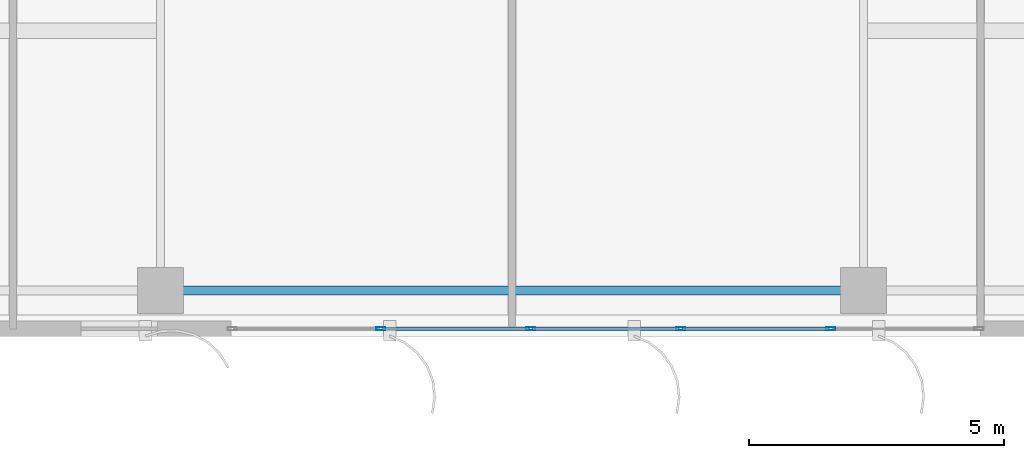
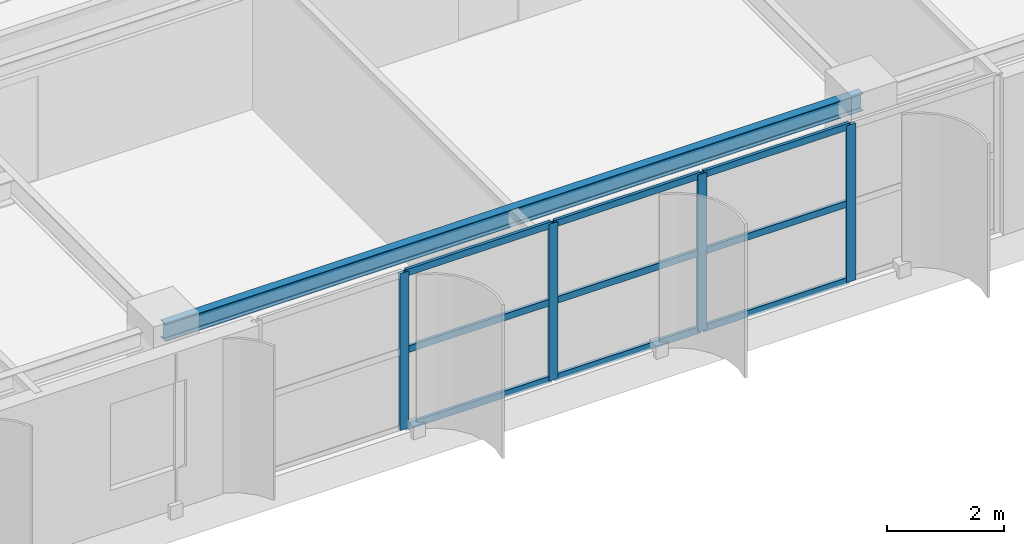
# One storey, part 4 of 25: 13 members, 1 beam, 1 element without a shape of its own.
"""IFC4 building model written with IfcOpenShell, lengths in metres."""

from ifc_helpers import new_model, si_unit, direction, frame, origin, origin_2d, place, context, subcontext, project, spatial, hollow_rectangle, i_section, extrude, source, transform, mapped, material, layer, layer_set, material_profile, profile_set, type_object, element, aggregate, save


model = new_model("IFC4")

# Units and contexts
model_context = context("Model", 3, precision=1e-05, world=origin(), true_north=direction((0.0, 1.0)))
body_context = subcontext(model_context, "Body", "Model", "MODEL_VIEW")
ifc_project = project(units=[si_unit("LENGTHUNIT", "METRE"), si_unit("AREAUNIT", "SQUARE_METRE"), si_unit("VOLUMEUNIT", "CUBIC_METRE"), si_unit("PLANEANGLEUNIT", "RADIAN"), si_unit("MASSUNIT", "GRAM", prefix="KILO")], contexts=[model_context])

# Site, building, storey
site_placement = place(None, origin())
site = spatial("IfcSite", under=ifc_project, at=site_placement, CompositionType="ELEMENT")
building_placement = place(site_placement, origin())
building = spatial("IfcBuilding", under=site, at=building_placement, Name="Khoralis Quay Care Tower", CompositionType="ELEMENT")
storey_placement = place(building_placement, frame((0.0, 0.0, 216.89990234375)))
storey = spatial("IfcBuildingStorey", under=building, at=storey_placement, Name="L57", CompositionType="ELEMENT", Elevation=216.89990234375)

# Beam
ifc_material_1 = material(Name="Steel S355", Category="steel")
ifc_material_profile_1 = material_profile(ifc_material_1, i_section(OverallWidth=0.169921875, OverallDepth=0.360107421875, WebThickness=0.008056640625, FlangeThickness=0.0126953125, FilletRadius=0.01806640625, at=origin_2d()), Name="Steel S355")
ifc_profile_set_1 = profile_set([ifc_material_profile_1], Name="Steel S355")
beam_type = type_object("IfcBeamType", Name="BM-IPE360", PredefinedType="SPANDREL", material=ifc_profile_set_1)
shared_shape_1 = source(origin(), body_context, "Body", "SweptSolid", [
    extrude(i_section(OverallWidth=0.169921875, OverallDepth=0.360107421875, WebThickness=0.008056640625, FlangeThickness=0.0126953125, FilletRadius=0.01806640625, at=origin_2d()), origin(), (0.0, 0.0, 1.0), 13.7998046875),
])
beam_placement = place(storey_placement, frame((17.10009765625, 0.89990234375, 3.10009765625), z_axis=(1.0, 0.0, 0.0), x_axis=(0.0, 1.0, 0.0)))
element("IfcBeam", 1, at=beam_placement, inside=storey, type_object=beam_type, Name="BM-TSP-L57-02", PredefinedType="SPANDREL", context=body_context, shape_type="MappedRepresentation", body=[
    mapped(shared_shape_1, transform((0.0, 0.0, 0.0), scale=1.0)),
])

# Curtain wall, members
ifc_material_2 = material(Name="Pale anodised aluminium", Category="aluminium")
ifc_layer = layer(ifc_material_2, 0.159912109375)
ifc_layer_set = layer_set([ifc_layer], Name="Pale anodised aluminium")
curtain_wall_type = type_object("IfcCurtainWallType", Name="CW-SYS-Z3", PredefinedType="NOTDEFINED", material=ifc_layer_set)
curtain_wall_placement = place(storey_placement, origin())
curtain_wall = element("IfcCurtainWall", 2, at=curtain_wall_placement, inside=storey, type_object=curtain_wall_type, Name="L57 Unitised Curtain Wall CW-L57-P1-E0", PredefinedType="NOTDEFINED")
ifc_material_profile_2 = material_profile(ifc_material_2, hollow_rectangle(XDim=0.06494140625, YDim=0.179931640625, WallThickness=0.00390625, at=origin_2d()), Name="Pale anodised aluminium")
ifc_profile_set_2 = profile_set([ifc_material_profile_2], Name="Pale anodised aluminium")
member_type_1 = type_object("IfcMemberType", Name="CW-MUL-180", PredefinedType="MULLION", material=ifc_profile_set_2)
shared_shape_2 = source(origin(), body_context, "Body", "SweptSolid", [
    extrude(hollow_rectangle(XDim=0.06494140625, YDim=0.179931640625, WallThickness=0.00390625, at=origin_2d()), origin(), (0.0, 0.0, 1.0), 3.280029296875),
])
member_1_placement = place(storey_placement, frame((21.424072265625, 0.14990234375, 0.0), z_axis=(0.0, 0.0, 1.0), x_axis=(0.0, 1.0, 0.0)))
member_1 = element("IfcMember", 3, at=member_1_placement, type_object=member_type_1, Name="CW3 mullion 2", PredefinedType="MULLION", context=body_context, shape_type="MappedRepresentation", body=[
    mapped(shared_shape_2, transform((0.0, 0.0, 0.0), scale=1.0)),
])
member_2_placement = place(storey_placement, frame((24.367919921875, 0.14990234375, 0.0), z_axis=(0.0, 0.0, 1.0), x_axis=(0.0, 1.0, 0.0)))
member_2 = element("IfcMember", 4, at=member_2_placement, type_object=member_type_1, Name="CW3 mullion 3", PredefinedType="MULLION", context=body_context, shape_type="MappedRepresentation", body=[
    mapped(shared_shape_2, transform((0.0, 0.0, 0.0), scale=1.0)),
])
member_3_placement = place(storey_placement, frame((27.31201171875, 0.14990234375, 0.0), z_axis=(0.0, 0.0, 1.0), x_axis=(0.0, 1.0, 0.0)))
member_3 = element("IfcMember", 5, at=member_3_placement, type_object=member_type_1, Name="CW3 mullion 4", PredefinedType="MULLION", context=body_context, shape_type="MappedRepresentation", body=[
    mapped(shared_shape_2, transform((0.0, 0.0, 0.0), scale=1.0)),
])
member_4_placement = place(storey_placement, frame((30.256103515625, 0.14990234375, 0.0), z_axis=(0.0, 0.0, 1.0), x_axis=(0.0, 1.0, 0.0)))
member_4 = element("IfcMember", 6, at=member_4_placement, type_object=member_type_1, Name="CW3 mullion 5", PredefinedType="MULLION", context=body_context, shape_type="MappedRepresentation", body=[
    mapped(shared_shape_2, transform((0.0, 0.0, 0.0), scale=1.0)),
])
ifc_material_profile_3 = material_profile(ifc_material_2, hollow_rectangle(XDim=0.06005859375, YDim=0.139892578125, WallThickness=0.00390625, at=origin_2d()), Name="Pale anodised aluminium")
ifc_profile_set_3 = profile_set([ifc_material_profile_3], Name="Pale anodised aluminium")
member_type_2 = type_object("IfcMemberType", Name="CW-TRN-140", PredefinedType="USERDEFINED", material=ifc_profile_set_3)
shared_shape_3 = source(origin(), body_context, "Body", "SweptSolid", [
    extrude(hollow_rectangle(XDim=0.06005859375, YDim=0.139892578125, WallThickness=0.00390625, at=origin_2d()), origin(), (0.0, 0.0, 1.0), 2.8837890625),
])
member_5_placement = place(storey_placement, frame((21.4541015625, 0.14990234375, 0.030029296875), z_axis=(1.0, 0.0, 0.0), x_axis=(0.0, 1.0, 0.0)))
member_5 = element("IfcMember", 7, at=member_5_placement, type_object=member_type_2, Name="CW3 transom 2.1", ObjectType="TRANSOM", PredefinedType="USERDEFINED", context=body_context, shape_type="MappedRepresentation", body=[
    mapped(shared_shape_3, transform((0.0, 0.0, 0.0), scale=1.0)),
])
member_6_placement = place(storey_placement, frame((21.4541015625, 0.14990234375, 1.64013671875), z_axis=(1.0, 0.0, 0.0), x_axis=(0.0, 1.0, 0.0)))
member_6 = element("IfcMember", 8, at=member_6_placement, type_object=member_type_2, Name="CW3 transom 2.2", ObjectType="TRANSOM", PredefinedType="USERDEFINED", context=body_context, shape_type="MappedRepresentation", body=[
    mapped(shared_shape_3, transform((0.0, 0.0, 0.0), scale=1.0)),
])
member_7_placement = place(storey_placement, frame((21.4541015625, 0.14990234375, 3.25), z_axis=(1.0, 0.0, 0.0), x_axis=(0.0, 1.0, 0.0)))
member_7 = element("IfcMember", 9, at=member_7_placement, type_object=member_type_2, Name="CW3 transom 2.3", ObjectType="TRANSOM", PredefinedType="USERDEFINED", context=body_context, shape_type="MappedRepresentation", body=[
    mapped(shared_shape_3, transform((0.0, 0.0, 0.0), scale=1.0)),
])
shared_shape_4 = source(origin(), body_context, "Body", "SweptSolid", [
    extrude(hollow_rectangle(XDim=0.06005859375, YDim=0.139892578125, WallThickness=0.00390625, at=origin_2d()), origin(), (0.0, 0.0, 1.0), 2.884033203125),
])
member_8_placement = place(storey_placement, frame((24.39794921875, 0.14990234375, 0.030029296875), z_axis=(1.0, 0.0, 0.0), x_axis=(0.0, 1.0, 0.0)))
member_8 = element("IfcMember", 10, at=member_8_placement, type_object=member_type_2, Name="CW3 transom 3.1", ObjectType="TRANSOM", PredefinedType="USERDEFINED", context=body_context, shape_type="MappedRepresentation", body=[
    mapped(shared_shape_4, transform((0.0, 0.0, 0.0), scale=1.0)),
])
member_9_placement = place(storey_placement, frame((24.39794921875, 0.14990234375, 1.64013671875), z_axis=(1.0, 0.0, 0.0), x_axis=(0.0, 1.0, 0.0)))
member_9 = element("IfcMember", 11, at=member_9_placement, type_object=member_type_2, Name="CW3 transom 3.2", ObjectType="TRANSOM", PredefinedType="USERDEFINED", context=body_context, shape_type="MappedRepresentation", body=[
    mapped(shared_shape_4, transform((0.0, 0.0, 0.0), scale=1.0)),
])
member_10_placement = place(storey_placement, frame((24.39794921875, 0.14990234375, 3.25), z_axis=(1.0, 0.0, 0.0), x_axis=(0.0, 1.0, 0.0)))
member_10 = element("IfcMember", 12, at=member_10_placement, type_object=member_type_2, Name="CW3 transom 3.3", ObjectType="TRANSOM", PredefinedType="USERDEFINED", context=body_context, shape_type="MappedRepresentation", body=[
    mapped(shared_shape_4, transform((0.0, 0.0, 0.0), scale=1.0)),
])
member_11_placement = place(storey_placement, frame((27.342041015625, 0.14990234375, 0.030029296875), z_axis=(1.0, 0.0, 0.0), x_axis=(0.0, 1.0, 0.0)))
member_11 = element("IfcMember", 13, at=member_11_placement, type_object=member_type_2, Name="CW3 transom 4.1", ObjectType="TRANSOM", PredefinedType="USERDEFINED", context=body_context, shape_type="MappedRepresentation", body=[
    mapped(shared_shape_4, transform((0.0, 0.0, 0.0), scale=1.0)),
])
member_12_placement = place(storey_placement, frame((27.342041015625, 0.14990234375, 1.64013671875), z_axis=(1.0, 0.0, 0.0), x_axis=(0.0, 1.0, 0.0)))
member_12 = element("IfcMember", 14, at=member_12_placement, type_object=member_type_2, Name="CW3 transom 4.2", ObjectType="TRANSOM", PredefinedType="USERDEFINED", context=body_context, shape_type="MappedRepresentation", body=[
    mapped(shared_shape_4, transform((0.0, 0.0, 0.0), scale=1.0)),
])
member_13_placement = place(storey_placement, frame((27.342041015625, 0.14990234375, 3.25), z_axis=(1.0, 0.0, 0.0), x_axis=(0.0, 1.0, 0.0)))
member_13 = element("IfcMember", 15, at=member_13_placement, type_object=member_type_2, Name="CW3 transom 4.3", ObjectType="TRANSOM", PredefinedType="USERDEFINED", context=body_context, shape_type="MappedRepresentation", body=[
    mapped(shared_shape_4, transform((0.0, 0.0, 0.0), scale=1.0)),
])
aggregate(curtain_wall, [member_1, member_2, member_3, member_4, member_5, member_6, member_7, member_8, member_9, member_10, member_11, member_12, member_13])

save(model, "model.ifc")
